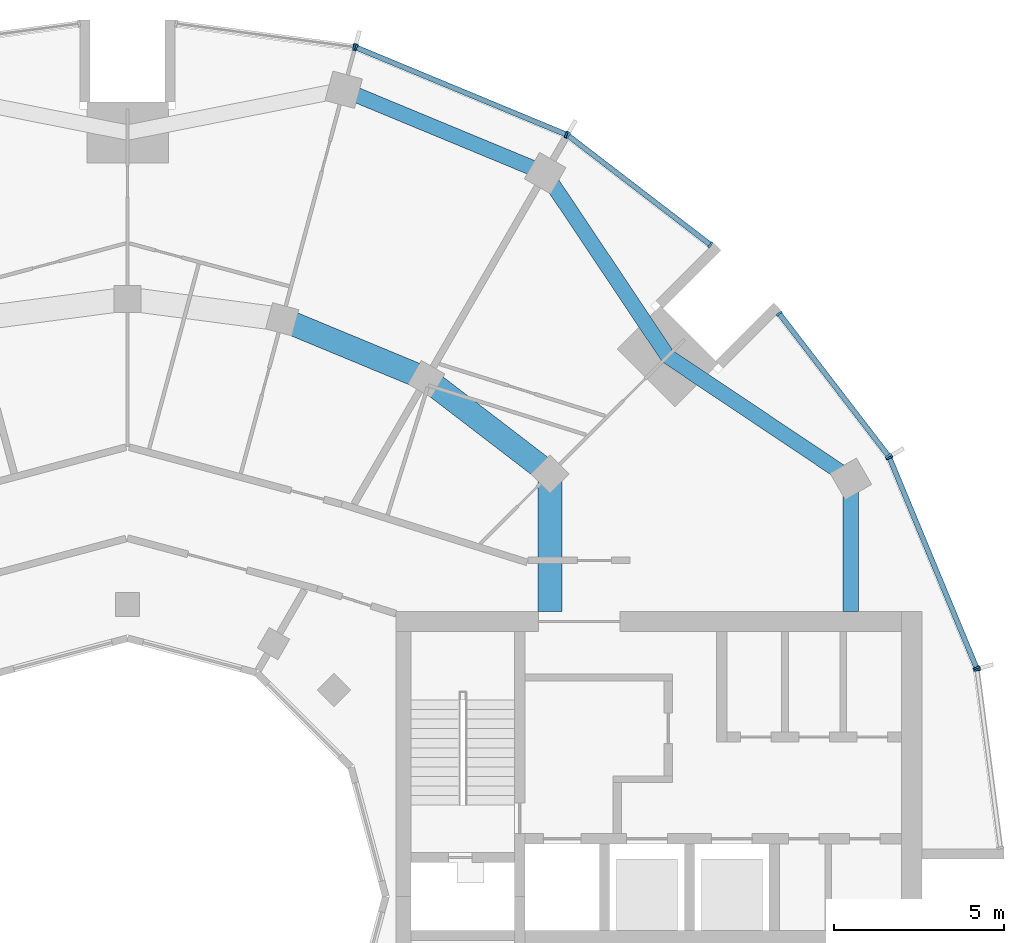
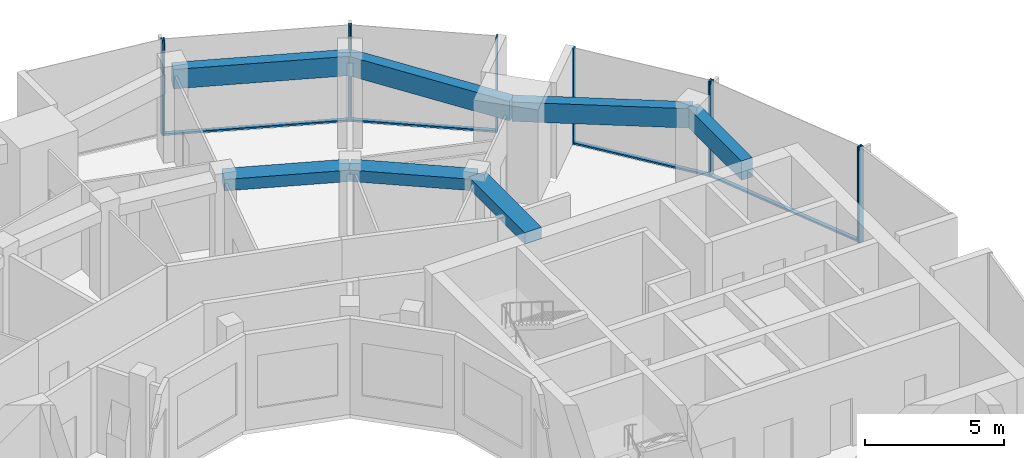
# One storey, part 6 of 15: 14 members, 7 beams, 6 elements without a shape of their own.
"""IFC4 building model written with IfcOpenShell, lengths in metres."""

import ifcopenshell
import ifcopenshell.guid

model = None  # the IFC model being written
_history = None  # IfcOwnerHistory: only IFC2X3 demands one
_inside = {}  # id of a spatial element -> (the spatial element, [elements in it])
_under = {}  # id of a project, library or spatial element -> (it, [spatial elements below it])
_declared = {}  # id of a project -> (the project, [libraries it declares])
_typed = {}  # id of a type object -> (the type object, [elements of that type])
_made_of = {}  # id of a material, layer set ... -> (it, [elements and type objects made of it])


def new_model(schema):
    """Start an empty IFC model of exactly this schema.

    Asked for "IFC4X3", IfcOpenShell would pick the latest addendum, in which some entities
    have other attributes; the version numbers below select the first issue.
    IFC2X3 requires an IfcOwnerHistory on every rooted entity: one is made here for all.
    """
    global model, _history
    if schema == "IFC4X3":
        model = ifcopenshell.file(schema_version=(4, 3, 0, 0))
    else:
        model = ifcopenshell.file(schema=schema)
    _inside.clear()
    _under.clear()
    _declared.clear()
    _typed.clear()
    _made_of.clear()
    _history = None
    if model.schema == "IFC2X3":
        org = make("IfcOrganization", Name="unknown")
        user = make(
            "IfcPersonAndOrganization",
            ThePerson=make("IfcPerson", FamilyName="unknown"),
            TheOrganization=org,
        )
        app = make(
            "IfcApplication",
            ApplicationDeveloper=org,
            Version="unknown",
            ApplicationFullName="unknown",
            ApplicationIdentifier="unknown",
        )
        _history = make(
            "IfcOwnerHistory",
            OwningUser=user,
            OwningApplication=app,
            ChangeAction="ADDED",
            CreationDate=0,
        )
    return model


def make(cls, **values):
    """One entity of the class cls with the attributes given. An attribute that is None is left unset."""
    return model.create_entity(
        cls, **{name: value for name, value in values.items() if value is not None}
    )


def rooted(cls, **values):
    """An entity with a GlobalId (a new one), such as an element, a storey or a relation."""
    return make(cls, GlobalId=ifcopenshell.guid.new(), OwnerHistory=_history, **values)


def si_unit(unit_type, name, prefix=None):
    """IfcSIUnit, for example si_unit("LENGTHUNIT", "METRE", prefix="MILLI")."""
    return make("IfcSIUnit", UnitType=unit_type, Prefix=prefix, Name=name)


def assignment(units):
    """IfcUnitAssignment: the units of a project."""
    return None if units is None else make("IfcUnitAssignment", Units=units)


def point(xyz):
    """IfcCartesianPoint."""
    return None if xyz is None else make("IfcCartesianPoint", Coordinates=xyz)


def direction(xyz):
    """IfcDirection."""
    return None if xyz is None else make("IfcDirection", DirectionRatios=xyz)


def frame(location, z_axis=None, x_axis=None):
    """IfcAxis2Placement3D, a coordinate frame: its origin and axes. An axis left out is left unset."""
    return make(
        "IfcAxis2Placement3D",
        Location=point(location),
        Axis=direction(z_axis),
        RefDirection=direction(x_axis),
    )


def frame_2d(location, x_axis=None):
    """IfcAxis2Placement2D, a coordinate frame in the plane: its origin and x axis."""
    return make(
        "IfcAxis2Placement2D", Location=point(location), RefDirection=direction(x_axis)
    )


def origin():
    """The frame at (0, 0, 0) with its axes left unset."""
    return frame((0.0, 0.0, 0.0))


def origin_2d():
    """The frame at (0, 0) in the plane with its x axis left unset."""
    return frame_2d((0.0, 0.0))


def place(relative_to, where):
    """IfcLocalPlacement: puts the frame where relative to a parent placement (None: the world)."""
    return make(
        "IfcLocalPlacement", PlacementRelTo=relative_to, RelativePlacement=where
    )


def context(
    kind, dimensions, precision=None, world=None, true_north=None, identifier=None
):
    """IfcGeometricRepresentationContext, for example the 3D "Model" context."""
    return make(
        "IfcGeometricRepresentationContext",
        ContextIdentifier=identifier,
        ContextType=kind,
        CoordinateSpaceDimension=dimensions,
        Precision=precision,
        WorldCoordinateSystem=world,
        TrueNorth=true_north,
    )


def subcontext(parent, identifier, kind, view, scale=None):
    """IfcGeometricRepresentationSubContext, for example "Body" below "Model"."""
    return make(
        "IfcGeometricRepresentationSubContext",
        ContextIdentifier=identifier,
        ContextType=kind,
        ParentContext=parent,
        TargetScale=scale,
        TargetView=view,
    )


def project(units=None, contexts=None):
    """IfcProject with its units and contexts."""
    return rooted(
        "IfcProject",
        Name="project",
        RepresentationContexts=contexts,
        UnitsInContext=assignment(units),
    )


def spatial(cls, under=None, at=None, **own):
    """A site, building, storey or space (cls), placed at a placement, below another one or the project."""
    s = rooted(cls, ObjectPlacement=at, **own)
    if under is not None:
        _under.setdefault(under.id(), (under, []))[1].append(s)
    return s


def profile(cls, at=None, kind="AREA", **sizes):
    """A parametric profile (cls). Its sizes go by their IFC names, for example OverallWidth=200.0."""
    return make(cls, ProfileType=kind, Position=at, **sizes)


def rectangle(**sizes):
    """IfcRectangleProfileDef."""
    return profile("IfcRectangleProfileDef", **sizes)


def extrude(swept, where, along, depth):
    """IfcExtrudedAreaSolid: the profile swept, set in the frame where, extruded along a direction by depth."""
    return make(
        "IfcExtrudedAreaSolid",
        SweptArea=swept,
        Position=where,
        ExtrudedDirection=direction(along),
        Depth=depth,
    )


def shape(context_of_items, identifier, shape_type, items):
    """IfcShapeRepresentation: the items that make up one representation, for example the "Body"."""
    return make(
        "IfcShapeRepresentation",
        ContextOfItems=context_of_items,
        RepresentationIdentifier=identifier,
        RepresentationType=shape_type,
        Items=items,
    )


def material(Name=None, Category=None):
    """IfcMaterial."""
    return make("IfcMaterial", Name=Name, Category=Category)


def layer(
    of_material, thickness, ventilated=None, Name=None, Category=None, Priority=None
):
    """IfcMaterialLayer: one layer of a wall or slab, of a material (None: an air gap)."""
    return make(
        "IfcMaterialLayer",
        Material=of_material,
        LayerThickness=thickness,
        IsVentilated=ventilated,
        Name=Name,
        Category=Category,
        Priority=Priority,
    )


def layer_set(layers, Name=None):
    """IfcMaterialLayerSet."""
    return make("IfcMaterialLayerSet", MaterialLayers=layers, LayerSetName=Name)


def material_profile(
    of_material, cross_section, Name=None, Category=None, Priority=None
):
    """IfcMaterialProfile: a cross section and its material."""
    return make(
        "IfcMaterialProfile",
        Name=Name,
        Material=of_material,
        Profile=cross_section,
        Priority=Priority,
        Category=Category,
    )


def profile_set(profiles, Name=None, composite=None):
    """IfcMaterialProfileSet."""
    return make(
        "IfcMaterialProfileSet",
        Name=Name,
        MaterialProfiles=profiles,
        CompositeProfile=composite,
    )


def made_of(thing, what):
    """Note that an element or type object is made of a material, layer set ...; save() writes the relation."""
    if what is not None:
        _made_of.setdefault(what.id(), (what, []))[1].append(thing)
    return thing


def type_object(cls, material=None, **own):
    """A type object (cls), such as IfcWallType, which elements share."""
    return made_of(rooted(cls, **own), material)


def element(
    cls,
    number,
    at=None,
    inside=None,
    cuts=None,
    type_object=None,
    material=None,
    context=None,
    identifier="Body",
    shape_type=None,
    held_by="IfcProductDefinitionShape",
    body=None,
    shapes=None,
    **own,
):
    """One element of the class cls, such as IfcWall. Its Tag is "e" and its number.

    at: its placement. inside: the storey or other place that contains it. cuts: it is an
    opening in that element (IfcRelVoidsElement). A single representation is given by context,
    identifier, shape_type and body (its items); several are given by shapes. held_by: the class
    of the entity that holds the representations. save() writes the other relations.
    """
    e = rooted(cls, Tag="e%d" % number, ObjectPlacement=at, **own)
    if body is not None:
        shapes = [shape(context, identifier, shape_type, body)]
    if shapes is not None:
        e.Representation = make(held_by, Representations=shapes)
    if inside is not None:
        _inside.setdefault(inside.id(), (inside, []))[1].append(e)
    if cuts is not None:
        rooted(
            "IfcRelVoidsElement", RelatingBuildingElement=cuts, RelatedOpeningElement=e
        )
    if type_object is not None:
        _typed.setdefault(type_object.id(), (type_object, []))[1].append(e)
    return made_of(e, material)


def aggregate(whole, parts):
    """IfcRelAggregates: a whole, such as a stair, and the parts it consists of."""
    return rooted("IfcRelAggregates", RelatingObject=whole, RelatedObjects=parts)


def save(model, path):
    """Write the relations noted so far, then the file.

    IfcRelAggregates (storeys below a building ...), IfcRelContainedInSpatialStructure (elements
    in a storey), IfcRelDefinesByType, IfcRelAssociatesMaterial and IfcRelDeclares: one each for
    every whole, place, type object, material and project.
    """
    for whole, parts in _under.values():
        aggregate(whole, parts)
    for where, things in _inside.values():
        rooted(
            "IfcRelContainedInSpatialStructure",
            RelatedElements=things,
            RelatingStructure=where,
        )
    for kind, things in _typed.values():
        rooted("IfcRelDefinesByType", RelatedObjects=things, RelatingType=kind)
    for what, things in _made_of.values():
        rooted("IfcRelAssociatesMaterial", RelatedObjects=things, RelatingMaterial=what)
    for by, libraries in _declared.values():
        rooted("IfcRelDeclares", RelatingContext=by, RelatedDefinitions=libraries)
    model.write(path)


model = new_model("IFC4")

# Units and contexts
model_context = context("Model", 3, precision=1e-05, world=origin(), true_north=direction((0.0, 1.0)))
body_context = subcontext(model_context, "Body", "Model", "MODEL_VIEW")
ifc_project = project(units=[si_unit("LENGTHUNIT", "METRE"), si_unit("AREAUNIT", "SQUARE_METRE"), si_unit("VOLUMEUNIT", "CUBIC_METRE"), si_unit("PLANEANGLEUNIT", "RADIAN"), si_unit("MASSUNIT", "GRAM", prefix="KILO")], contexts=[model_context])

# Site, building, storey
site_placement = place(None, origin())
site = spatial("IfcSite", under=ifc_project, at=site_placement, CompositionType="ELEMENT")
building_placement = place(site_placement, origin())
building = spatial("IfcBuilding", under=site, at=building_placement, Name="Torre Brocal", CompositionType="ELEMENT")
storey_placement = place(building_placement, frame((0.0, 0.0, 249.89990234375)))
storey = spatial("IfcBuildingStorey", under=building, at=storey_placement, Name="L57", CompositionType="ELEMENT", Elevation=249.89990234375)

# Curtain wall, members
ifc_material_1 = material(Name="Aluminium and glass", Category="aluminium")
ifc_layer_1 = layer(ifc_material_1, 0.199951171875)
ifc_layer_set_1 = layer_set([ifc_layer_1], Name="Aluminium and glass")
curtain_wall_type_1 = type_object("IfcCurtainWallType", Name="CW-1 CURTAIN WALL 4200 HIGH", PredefinedType="NOTDEFINED", material=ifc_layer_set_1)
curtain_wall_1_placement = place(storey_placement, origin())
curtain_wall_1 = element("IfcCurtainWall", 1, at=curtain_wall_1_placement, inside=storey, type_object=curtain_wall_type_1, Name="CW-1 RUN 2", PredefinedType="NOTDEFINED")
ifc_material_2 = material(Name="Aluminium, dark anodised", Category="aluminium")
ifc_material_profile_1 = material_profile(ifc_material_2, rectangle(XDim=0.199951171875, YDim=0.06005859375, at=origin_2d()), Name="CW-1 MULLION 60X200")
ifc_profile_set_1 = profile_set([ifc_material_profile_1], Name="Aluminium, dark anodised")
member_type_1 = type_object("IfcMemberType", Name="CW-1 MULLION 60X200", PredefinedType="MULLION", material=ifc_profile_set_1)
member_1_placement = place(storey_placement, frame((105.005126953125, 81.73095703125, 0.0), z_axis=(0.0, 0.0, 1.0), x_axis=(-0.923879532525, -0.382683432333, 0.0)))
member_1 = element("IfcMember", 2, at=member_1_placement, type_object=member_type_1, Name="CW1-5 mullion 1", PredefinedType="MULLION", context=body_context, shape_type="SweptSolid", body=[
    extrude(rectangle(XDim=0.199951171875, YDim=0.06005859375, at=origin_2d()), origin(), (0.0, 0.0, 1.0), 4.2001953125),
])
member_2_placement = place(storey_placement, frame((102.440673828125, 87.921875, 0.0), z_axis=(0.0, 0.0, 1.0), x_axis=(-0.923879532525, -0.382683432333, 0.0)))
member_2 = element("IfcMember", 3, at=member_2_placement, type_object=member_type_1, Name="CW1-5 mullion 2", PredefinedType="MULLION", context=body_context, shape_type="SweptSolid", body=[
    extrude(rectangle(XDim=0.199951171875, YDim=0.06005859375, at=origin_2d()), origin(), (0.0, 0.0, 1.0), 4.2001953125),
])

curtain_wall_2_placement = place(storey_placement, origin())
curtain_wall_2 = element("IfcCurtainWall", 4, at=curtain_wall_2_placement, inside=storey, type_object=curtain_wall_type_1, Name="CW-1 RUN 3", PredefinedType="NOTDEFINED")
member_3_placement = place(storey_placement, frame((102.4111328125, 87.973388671875, 0.0), z_axis=(0.0, 0.0, 1.0), x_axis=(-0.793353340259, -0.60876142905, 0.0)))
member_3 = element("IfcMember", 5, at=member_3_placement, type_object=member_type_1, Name="CW1-5 mullion 1", PredefinedType="MULLION", context=body_context, shape_type="SweptSolid", body=[
    extrude(rectangle(XDim=0.199951171875, YDim=0.06005859375, at=origin_2d()), origin(), (0.0, 0.0, 1.0), 4.2001953125),
])
member_4_placement = place(storey_placement, frame((99.19140625, 92.16943359375, 0.0), z_axis=(0.0, 0.0, 1.0), x_axis=(-0.793353340259, -0.60876142905, 0.0)))
member_4 = element("IfcMember", 6, at=member_4_placement, type_object=member_type_1, Name="CW1-5 mullion 2", PredefinedType="MULLION", context=body_context, shape_type="SweptSolid", body=[
    extrude(rectangle(XDim=0.199951171875, YDim=0.06005859375, at=origin_2d()), origin(), (0.0, 0.0, 1.0), 4.2001953125),
])

curtain_wall_3_placement = place(storey_placement, origin())
curtain_wall_3 = element("IfcCurtainWall", 7, at=curtain_wall_3_placement, inside=storey, type_object=curtain_wall_type_1, Name="CW-1 RUN 4", PredefinedType="NOTDEFINED")
member_5_placement = place(storey_placement, frame((97.16943359375, 94.19140625, 0.0), z_axis=(0.0, 0.0, 1.0), x_axis=(-0.60876142905, -0.793353340259, 0.0)))
member_5 = element("IfcMember", 8, at=member_5_placement, type_object=member_type_1, Name="CW1-5 mullion 1", PredefinedType="MULLION", context=body_context, shape_type="SweptSolid", body=[
    extrude(rectangle(XDim=0.199951171875, YDim=0.06005859375, at=origin_2d()), origin(), (0.0, 0.0, 1.0), 4.2001953125),
])
member_6_placement = place(storey_placement, frame((92.973388671875, 97.4111328125, 0.0), z_axis=(0.0, 0.0, 1.0), x_axis=(-0.60876142905, -0.793353340259, 0.0)))
member_6 = element("IfcMember", 9, at=member_6_placement, type_object=member_type_1, Name="CW1-5 mullion 2", PredefinedType="MULLION", context=body_context, shape_type="SweptSolid", body=[
    extrude(rectangle(XDim=0.199951171875, YDim=0.06005859375, at=origin_2d()), origin(), (0.0, 0.0, 1.0), 4.2001953125),
])

curtain_wall_4_placement = place(storey_placement, origin())
curtain_wall_4 = element("IfcCurtainWall", 10, at=curtain_wall_4_placement, inside=storey, type_object=curtain_wall_type_1, Name="CW-1 RUN 5", PredefinedType="NOTDEFINED")
member_7_placement = place(storey_placement, frame((92.921875, 97.440673828125, 0.0), z_axis=(0.0, 0.0, 1.0), x_axis=(-0.382683432333, -0.923879532525, 0.0)))
member_7 = element("IfcMember", 11, at=member_7_placement, type_object=member_type_1, Name="CW1-5 mullion 1", PredefinedType="MULLION", context=body_context, shape_type="SweptSolid", body=[
    extrude(rectangle(XDim=0.199951171875, YDim=0.06005859375, at=origin_2d()), origin(), (0.0, 0.0, 1.0), 4.2001953125),
])
member_8_placement = place(storey_placement, frame((86.73095703125, 100.005126953125, 0.0), z_axis=(0.0, 0.0, 1.0), x_axis=(-0.382683432333, -0.923879532525, 0.0)))
member_8 = element("IfcMember", 12, at=member_8_placement, type_object=member_type_1, Name="CW1-5 mullion 2", PredefinedType="MULLION", context=body_context, shape_type="SweptSolid", body=[
    extrude(rectangle(XDim=0.199951171875, YDim=0.06005859375, at=origin_2d()), origin(), (0.0, 0.0, 1.0), 4.2001953125),
])

# Curtain wall, member
curtain_wall_5_placement = place(storey_placement, origin())
curtain_wall_5 = element("IfcCurtainWall", 13, at=curtain_wall_5_placement, inside=storey, type_object=curtain_wall_type_1, Name="CW-1 RUN 6", PredefinedType="NOTDEFINED")
member_9_placement = place(storey_placement, frame((86.67333984375, 100.0205078125, 0.0), z_axis=(0.0, 0.0, 1.0), x_axis=(-0.13052619222, -0.991444861374, 0.0)))
member_9 = element("IfcMember", 14, at=member_9_placement, type_object=member_type_1, Name="CW1-5 mullion 1", PredefinedType="MULLION", context=body_context, shape_type="SweptSolid", body=[
    extrude(rectangle(XDim=0.199951171875, YDim=0.06005859375, at=origin_2d()), origin(), (0.0, 0.0, 1.0), 4.2001953125),
])
aggregate(curtain_wall_5, [member_9])

# Member
ifc_material_3 = material(Name="Aluminium, dark anodised", Category="aluminium")
ifc_material_profile_2 = material_profile(ifc_material_3, rectangle(XDim=0.159912109375, YDim=0.080078125, at=origin_2d()), Name="CW-1 TRANSOM 160X80")
ifc_profile_set_2 = profile_set([ifc_material_profile_2], Name="Aluminium, dark anodised")
member_type_2 = type_object("IfcMemberType", Name="CW-1 TRANSOM 160X80", PredefinedType="USERDEFINED", material=ifc_profile_set_2)
member_10_placement = place(storey_placement, frame((104.99365234375, 81.758544921875, 0.0400390625), z_axis=(-0.38266457234, 0.923887344364, 0.0), x_axis=(-0.923887344364, -0.38266457234, 0.0)))
member_10 = element("IfcMember", 15, at=member_10_placement, type_object=member_type_2, Name="CW1-5 transom 1.1", ObjectType="TRANSOM", PredefinedType="USERDEFINED", context=body_context, shape_type="SweptSolid", body=[
    extrude(rectangle(XDim=0.159912109375, YDim=0.080078125, at=origin_2d()), origin(), (0.0, 0.0, 1.0), 6.640869140625),
])

aggregate(curtain_wall_1, [member_1, member_2, member_10])

member_11_placement = place(storey_placement, frame((102.392822265625, 87.9970703125, 0.0400390625), z_axis=(-0.60874908096, 0.79336281513, 0.0), x_axis=(-0.79336281513, -0.60874908096, 0.0)))
member_11 = element("IfcMember", 16, at=member_11_placement, type_object=member_type_2, Name="CW1-5 transom 1.1", ObjectType="TRANSOM", PredefinedType="USERDEFINED", context=body_context, shape_type="SweptSolid", body=[
    extrude(rectangle(XDim=0.159912109375, YDim=0.080078125, at=origin_2d()), origin(), (0.0, 0.0, 1.0), 5.22900390625),
])

aggregate(curtain_wall_2, [member_3, member_4, member_11])

member_12_placement = place(storey_placement, frame((97.1455078125, 94.209716796875, 0.0400390625), z_axis=(-0.79336281513, 0.60874908096, 0.0), x_axis=(-0.60874908096, -0.79336281513, 0.0)))
member_12 = element("IfcMember", 17, at=member_12_placement, type_object=member_type_2, Name="CW1-5 transom 1.1", ObjectType="TRANSOM", PredefinedType="USERDEFINED", context=body_context, shape_type="SweptSolid", body=[
    extrude(rectangle(XDim=0.159912109375, YDim=0.080078125, at=origin_2d()), origin(), (0.0, 0.0, 1.0), 5.22900390625),
])

aggregate(curtain_wall_3, [member_5, member_6, member_12])

member_13_placement = place(storey_placement, frame((92.89404296875, 97.452392578125, 0.0400390625), z_axis=(-0.923887344364, 0.38266457234, 0.0), x_axis=(-0.38266457234, -0.923887344364, 0.0)))
member_13 = element("IfcMember", 18, at=member_13_placement, type_object=member_type_2, Name="CW1-5 transom 1.1", ObjectType="TRANSOM", PredefinedType="USERDEFINED", context=body_context, shape_type="SweptSolid", body=[
    extrude(rectangle(XDim=0.159912109375, YDim=0.080078125, at=origin_2d()), origin(), (0.0, 0.0, 1.0), 6.640869140625),
])

aggregate(curtain_wall_4, [member_7, member_8, member_13])

# Curtain wall, member
ifc_material_4 = material(Name="Aluminium and glass", Category="aluminium")
ifc_layer_2 = layer(ifc_material_4, 0.199951171875)
ifc_layer_set_2 = layer_set([ifc_layer_2], Name="Aluminium and glass")
curtain_wall_type_2 = type_object("IfcCurtainWallType", Name="CW-1B CURTAIN WALL 4200 HIGH", PredefinedType="NOTDEFINED", material=ifc_layer_set_2)
curtain_wall_6_placement = place(storey_placement, origin())
curtain_wall_6 = element("IfcCurtainWall", 19, at=curtain_wall_6_placement, inside=storey, type_object=curtain_wall_type_2, Name="CW-1B RUN 1", PredefinedType="NOTDEFINED")
ifc_material_5 = material(Name="Aluminium, dark anodised", Category="aluminium")
ifc_material_profile_3 = material_profile(ifc_material_5, rectangle(XDim=0.199951171875, YDim=0.06005859375, at=origin_2d()), Name="CW-1B MULLION 60X200")
ifc_profile_set_3 = profile_set([ifc_material_profile_3], Name="Aluminium, dark anodised")
member_type_3 = type_object("IfcMemberType", Name="CW-1B MULLION 60X200", PredefinedType="MULLION", material=ifc_profile_set_3)
member_14_placement = place(storey_placement, frame((105.0205078125, 81.67333984375, 0.0), z_axis=(0.0, 0.0, 1.0), x_axis=(-0.991444861374, -0.13052619222, 0.0)))
member_14 = element("IfcMember", 20, at=member_14_placement, type_object=member_type_3, Name="CW1B-5 mullion 2", PredefinedType="MULLION", context=body_context, shape_type="SweptSolid", body=[
    extrude(rectangle(XDim=0.199951171875, YDim=0.06005859375, at=origin_2d()), origin(), (0.0, 0.0, 1.0), 4.2001953125),
])
aggregate(curtain_wall_6, [member_14])

# Beams
ifc_material_6 = material(Name="Concrete C50", Category="concrete")
ifc_material_profile_4 = material_profile(ifc_material_6, rectangle(XDim=0.699951171875, YDim=0.5, at=origin_2d()), Name="RC 700X500")
ifc_profile_set_4 = profile_set([ifc_material_profile_4], Name="Concrete C50")
beam_type_1 = type_object("IfcBeamType", Name="RC BEAM 700X500 C50 TOP 3880", PredefinedType="BEAM", material=ifc_profile_set_4)
beam_1_placement = place(storey_placement, frame((92.445068359375, 87.445068359375, 3.630126953125), z_axis=(-0.793358265959, 0.6087550097, 0.0), x_axis=(-0.6087550097, -0.793358265959, 0.0)))
element("IfcBeam", 21, at=beam_1_placement, inside=storey, type_object=beam_type_1, Name="Beam BT-37", PredefinedType="BEAM", context=body_context, shape_type="SweptSolid", body=[
    extrude(rectangle(XDim=0.699951171875, YDim=0.5, at=origin_2d()), origin(), (0.0, 0.0, 1.0), 4.594482421875),
])
beam_2_placement = place(storey_placement, frame((88.800048828125, 90.241943359375, 3.630126953125), z_axis=(-0.923878240166, 0.382686552348, 0.0), x_axis=(-0.382686552348, -0.923878240166, 0.0)))
element("IfcBeam", 22, at=beam_2_placement, inside=storey, type_object=beam_type_1, Name="Beam BT-37", PredefinedType="BEAM", context=body_context, shape_type="SweptSolid", body=[
    extrude(rectangle(XDim=0.699951171875, YDim=0.5, at=origin_2d()), origin(), (0.0, 0.0, 1.0), 4.5947265625),
])
beam_3_placement = place(storey_placement, frame((92.445068359375, 87.445068359375, 3.630126953125), z_axis=(0.0, -1.0, 0.0), x_axis=(1.0, 0.0, 0.0)))
element("IfcBeam", 23, at=beam_3_placement, inside=storey, type_object=beam_type_1, Name="Beam BT-37", PredefinedType="BEAM", context=body_context, shape_type="SweptSolid", body=[
    extrude(rectangle(XDim=0.699951171875, YDim=0.5, at=origin_2d()), origin(), (0.0, 0.0, 1.0), 4.045166015625),
])
ifc_material_7 = material(Name="Concrete C50", Category="concrete")
ifc_material_profile_5 = material_profile(ifc_material_7, rectangle(XDim=0.449951171875, YDim=0.85009765625, at=origin_2d()), Name="RC 450X850")
ifc_profile_set_5 = profile_set([ifc_material_profile_5], Name="Concrete C50")
beam_type_2 = type_object("IfcBeamType", Name="RC SPANDREL BEAM 450X850 C50 TOP 3880", PredefinedType="SPANDREL", material=ifc_profile_set_5)
for number, where, z_axis, x_axis, name in (
    (24, (101.30419921875, 87.300048828125, 3.455078125), (-0.831076844476, 0.556157602282, 0.0), (-0.556157602282, -0.831076844476, 0.0), "Beam BT-38"),
    (25, (95.909912109375, 90.909912109375, 3.455078125), (-0.556157602282, 0.831076844476, 0.0), (-0.831076844476, -0.556157602282, 0.0), "Beam BT-38"),
):
    element("IfcBeam", number, at=place(storey_placement, frame(where, z_axis=z_axis, x_axis=x_axis)), inside=storey, type_object=beam_type_2, Name=name, PredefinedType="SPANDREL", context=body_context, shape_type="SweptSolid", body=[
        extrude(rectangle(XDim=0.449951171875, YDim=0.85009765625, at=origin_2d()), origin(), (0.0, 0.0, 1.0), 6.49072265625),
    ])
beam_4_placement = place(storey_placement, frame((92.300048828125, 96.30419921875, 3.455078125), z_axis=(-0.923882462513, 0.382676358639, 0.0), x_axis=(-0.382676358639, -0.923882462513, 0.0)))
element("IfcBeam", 26, at=beam_4_placement, inside=storey, type_object=beam_type_2, Name="Beam BT-38", PredefinedType="SPANDREL", context=body_context, shape_type="SweptSolid", body=[
    extrude(rectangle(XDim=0.449951171875, YDim=0.85009765625, at=origin_2d()), origin(), (0.0, 0.0, 1.0), 6.421875),
])
beam_5_placement = place(storey_placement, frame((101.30419921875, 87.300048828125, 3.455078125), z_axis=(0.0, -1.0, 0.0), x_axis=(1.0, 0.0, 0.0)))
element("IfcBeam", 27, at=beam_5_placement, inside=storey, type_object=beam_type_2, Name="Beam BT-38", PredefinedType="SPANDREL", context=body_context, shape_type="SweptSolid", body=[
    extrude(rectangle(XDim=0.449951171875, YDim=0.85009765625, at=origin_2d()), origin(), (0.0, 0.0, 1.0), 3.900146484375),
])

save(model, "model.ifc")
